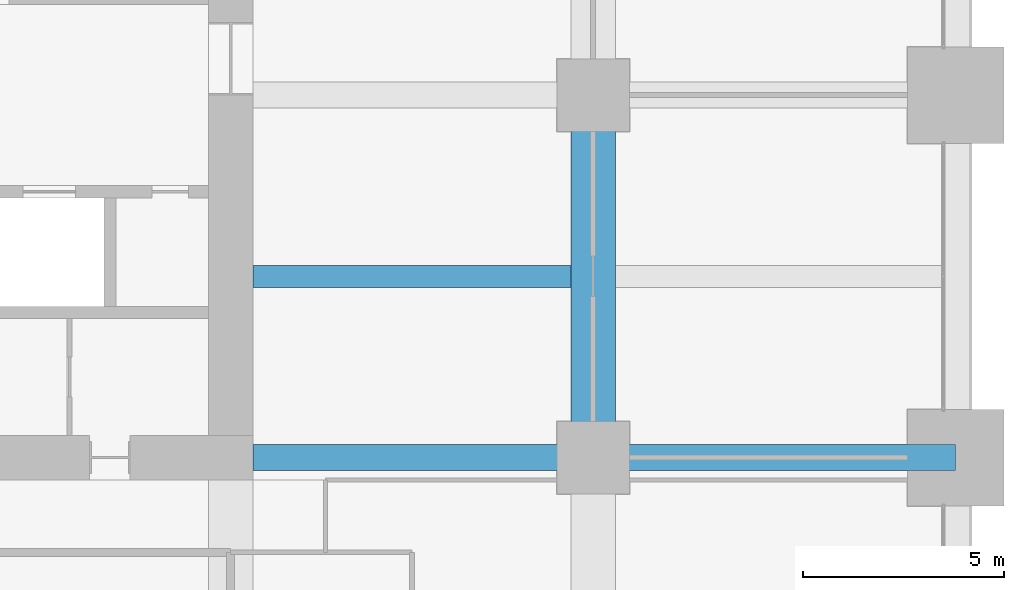
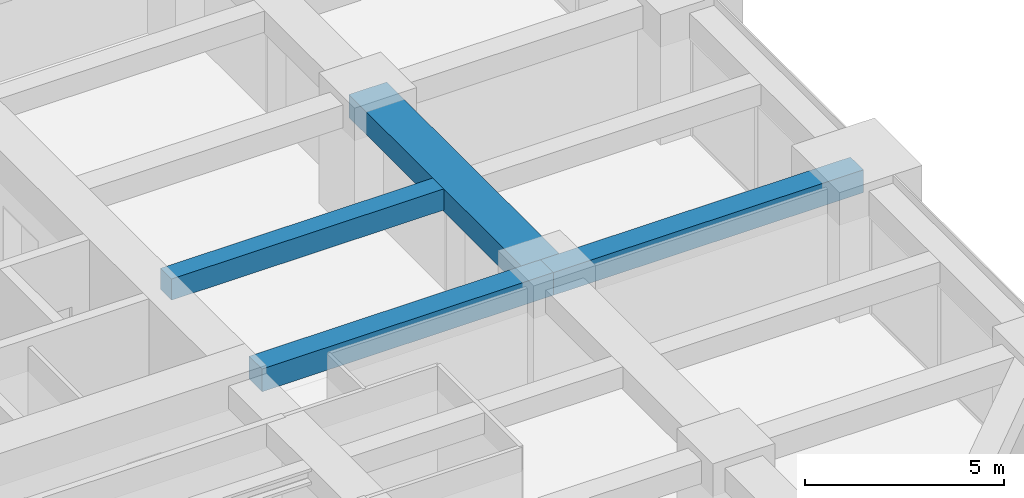
# One storey, part 20 of 40: 4 beams.
"""IFC4 building model written with IfcOpenShell, lengths in metres."""

from ifc_helpers import new_model, si_unit, direction, frame, origin, origin_2d, place, context, subcontext, project, spatial, rectangle, extrude, material, material_profile, profile_set, type_object, element, save


model = new_model("IFC4")

# Units and contexts
model_context = context("Model", 3, precision=1e-05, world=origin(), true_north=direction((0.0, 1.0)))
body_context = subcontext(model_context, "Body", "Model", "MODEL_VIEW")
ifc_project = project(units=[si_unit("LENGTHUNIT", "METRE"), si_unit("AREAUNIT", "SQUARE_METRE"), si_unit("VOLUMEUNIT", "CUBIC_METRE"), si_unit("PLANEANGLEUNIT", "RADIAN"), si_unit("MASSUNIT", "GRAM", prefix="KILO")], contexts=[model_context])

# Site, building, storey
site_placement = place(None, origin())
site = spatial("IfcSite", under=ifc_project, at=site_placement, CompositionType="ELEMENT")
building_placement = place(site_placement, origin())
building = spatial("IfcBuilding", under=site, at=building_placement, Name="Zorevar Civic Tower", CompositionType="ELEMENT")
storey_placement = place(building_placement, frame((0.0, 0.0, 129.0)))
storey = spatial("IfcBuildingStorey", under=building, at=storey_placement, Name="L31", CompositionType="ELEMENT", Elevation=129.0)

# Beams
ifc_material_1 = material(Name="Concrete C50/60", Category="concrete")
ifc_material_profile_1 = material_profile(ifc_material_1, rectangle(XDim=1.10009765625, YDim=0.699951171875, at=origin_2d()), Name="RC 1100x700")
ifc_profile_set_1 = profile_set([ifc_material_profile_1], Name="Concrete C50/60")
beam_type_1 = type_object("IfcBeamType", Name="Beam RC 1100x700", PredefinedType="BEAM", material=ifc_profile_set_1)
beam_1_placement = place(storey_placement, frame((54.0, 18.0, 3.39990234375), z_axis=(0.0, 1.0, 0.0), x_axis=(-1.0, 0.0, 0.0)))
element("IfcBeam", 1, at=beam_1_placement, inside=storey, type_object=beam_type_1, Name="Girder L32", PredefinedType="BEAM", context=body_context, shape_type="SweptSolid", body=[
    extrude(rectangle(XDim=1.10009765625, YDim=0.699951171875, at=origin_2d()), origin(), (0.0, 0.0, 1.0), 9.0),
])
ifc_material_2 = material(Name="Concrete C50/60", Category="concrete")
ifc_material_profile_2 = material_profile(ifc_material_2, rectangle(XDim=0.550048828125, YDim=0.64990234375, at=origin_2d()), Name="RC 550x650")
ifc_profile_set_2 = profile_set([ifc_material_profile_2], Name="Concrete C50/60")
beam_type_2 = type_object("IfcBeamType", Name="Beam RC 550x650", PredefinedType="BEAM", material=ifc_profile_set_2)
beam_2_placement = place(storey_placement, frame((45.550048828125, 22.5, 3.425048828125), z_axis=(1.0, 0.0, 0.0), x_axis=(0.0, 1.0, 0.0)))
element("IfcBeam", 2, at=beam_2_placement, inside=storey, type_object=beam_type_2, Name="Secondary beam L32", PredefinedType="BEAM", context=body_context, shape_type="SweptSolid", body=[
    extrude(rectangle(XDim=0.550048828125, YDim=0.64990234375, at=origin_2d()), origin(), (0.0, 0.0, 1.0), 7.89990234375),
])
ifc_material_3 = material(Name="Concrete C50/60", Category="concrete")
ifc_material_profile_3 = material_profile(ifc_material_3, rectangle(XDim=0.64990234375, YDim=0.699951171875, at=origin_2d()), Name="RC 650x700")
ifc_profile_set_3 = profile_set([ifc_material_profile_3], Name="Concrete C50/60")
beam_type_3 = type_object("IfcBeamType", Name="Beam RC 650x700", PredefinedType="BEAM", material=ifc_profile_set_3)
beam_3_placement = place(storey_placement, frame((45.550048828125, 18.0, 3.39990234375), z_axis=(1.0, 0.0, 0.0), x_axis=(0.0, 1.0, 0.0)))
element("IfcBeam", 3, at=beam_3_placement, inside=storey, type_object=beam_type_3, Name="Girder L32", PredefinedType="BEAM", context=body_context, shape_type="SweptSolid", body=[
    extrude(rectangle(XDim=0.64990234375, YDim=0.699951171875, at=origin_2d()), origin(), (0.0, 0.0, 1.0), 8.449951171875),
])
beam_4_placement = place(storey_placement, frame((54.0, 18.0, 3.39990234375), z_axis=(1.0, 0.0, 0.0), x_axis=(0.0, 1.0, 0.0)))
element("IfcBeam", 4, at=beam_4_placement, inside=storey, type_object=beam_type_3, Name="Girder L32", PredefinedType="BEAM", context=body_context, shape_type="SweptSolid", body=[
    extrude(rectangle(XDim=0.64990234375, YDim=0.699951171875, at=origin_2d()), origin(), (0.0, 0.0, 1.0), 9.0),
])

save(model, "model.ifc")
